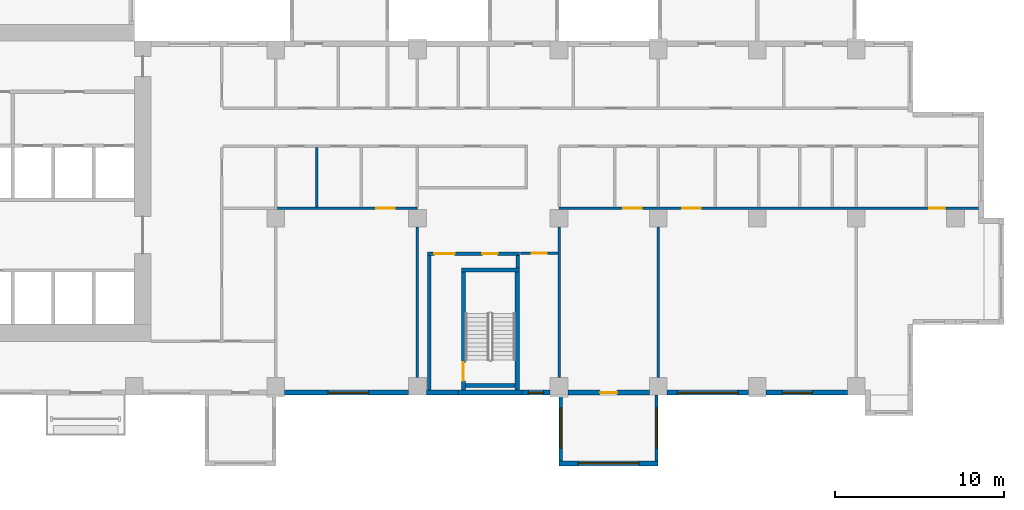
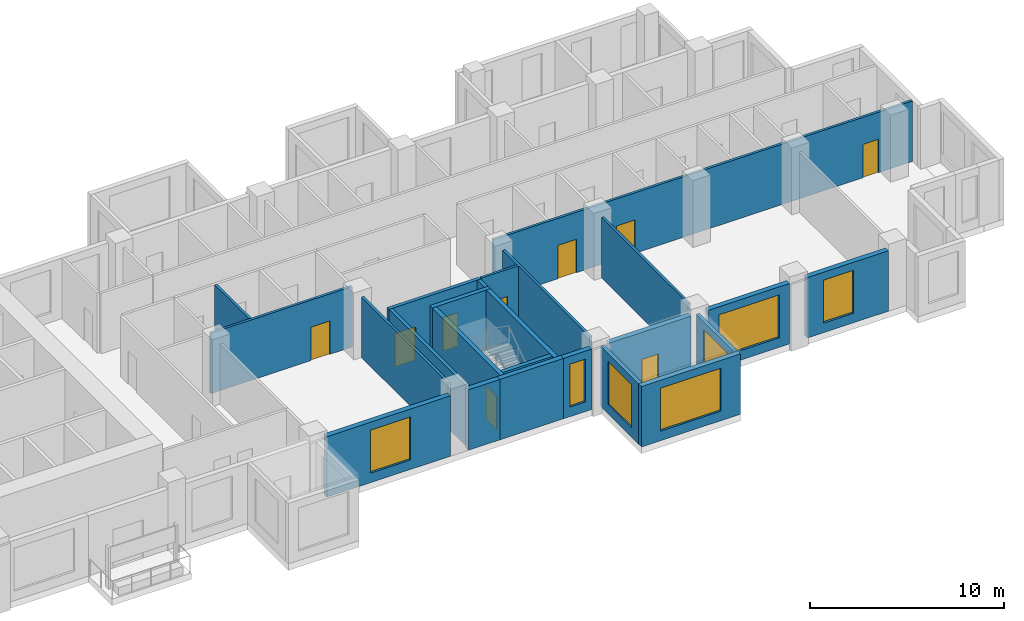
# One storey, part 4 of 15: 24 walls, 9 doors, 7 windows, 16 openings.
"""IFC4 building model written with IfcOpenShell, lengths in metres."""

from ifc_helpers import new_model, si_unit, direction, frame, frame_2d, origin, place, context, subcontext, project, spatial, rectangle, extrude, source, transform, mapped, material, layer, layer_set, type_object, element, fill, save


model = new_model("IFC4")

# Units and contexts
model_context = context("Model", 3, precision=1e-05, world=origin(), true_north=direction((0.0, 1.0)))
body_context = subcontext(model_context, "Body", "Model", "MODEL_VIEW")
ifc_project = project(units=[si_unit("LENGTHUNIT", "METRE"), si_unit("AREAUNIT", "SQUARE_METRE"), si_unit("VOLUMEUNIT", "CUBIC_METRE"), si_unit("PLANEANGLEUNIT", "RADIAN"), si_unit("MASSUNIT", "GRAM", prefix="KILO")], contexts=[model_context])

# Site, building, storey
site_placement = place(None, origin())
site = spatial("IfcSite", under=ifc_project, at=site_placement, CompositionType="ELEMENT")
building_placement = place(site_placement, origin())
building = spatial("IfcBuilding", under=site, at=building_placement, Name="Aurelian Terraces", CompositionType="ELEMENT")
storey_placement = place(building_placement, frame((0.0, 0.0, 137.1)))
storey = spatial("IfcBuildingStorey", under=building, at=storey_placement, Name="L30", CompositionType="ELEMENT", Elevation=137.1)

# Wall
ifc_material_1 = material(Name="Concrete fc' 40 MPa", Category="concrete")
ifc_layer_1 = layer(ifc_material_1, 0.3)
ifc_layer_set_1 = layer_set([ifc_layer_1], Name="STAIR BAY WALL 300")
wall_type_1 = type_object("IfcWallType", Name="STAIR BAY WALL 300", PredefinedType="SOLIDWALL", material=ifc_layer_set_1)
shared_shape_1 = source(origin(), body_context, "Body", "SweptSolid", [
    extrude(rectangle(XDim=3.8, YDim=0.3, at=frame_2d((1.9, 0.0))), origin(), (0.0, 0.0, 1.0), 3.8),
])
wall_1_placement = place(storey_placement, frame((40.2, 0.15, 0.0), z_axis=(0.0, 0.0, 1.0), x_axis=(1.0, 0.0, 0.0)))
element("IfcWall", 1, at=wall_1_placement, inside=storey, type_object=wall_type_1, Name="Stair bay wall L30 F01.7", PredefinedType="SOLIDWALL", context=body_context, shape_type="MappedRepresentation", body=[
    mapped(shared_shape_1, transform((0.0, 0.0, 0.0), scale=1.0)),
])

# Wall, opening, window
ifc_layer_2 = layer(ifc_material_1, 0.2)
ifc_layer_set_2 = layer_set([ifc_layer_2], Name="BOX BEARING WALL 200")
wall_type_2 = type_object("IfcWallType", Name="BOX BEARING WALL 200", PredefinedType="SOLIDWALL", material=ifc_layer_set_2)
shared_shape_2 = source(origin(), body_context, "Body", "SweptSolid", [
    extrude(rectangle(XDim=3.9, YDim=0.2, at=frame_2d((1.95, 0.0))), origin(), (0.0, 0.0, 1.0), 3.8),
])
wall_2_placement = place(storey_placement, frame((46.3, 0.0, 0.0), z_axis=(0.0, 0.0, 1.0), x_axis=(0.0, -1.0, 0.0)))
wall_2 = element("IfcWall", 2, at=wall_2_placement, inside=storey, type_object=wall_type_2, Name="Box return L30 J40.1", PredefinedType="SOLIDWALL", context=body_context, shape_type="MappedRepresentation", body=[
    mapped(shared_shape_2, transform((0.0, 0.0, 0.0), scale=1.0)),
])
shared_shape_3 = source(origin(), body_context, "Body", "SweptSolid", [
    extrude(rectangle(XDim=2.4, YDim=2.7, at=frame_2d((1.2, 1.35))), frame((0.0, 0.11, 0.0), z_axis=(0.0, -1.0, 0.0), x_axis=(1.0, 0.0, 0.0)), (0.0, 0.0, 1.0), 0.22),
])
opening_1_placement = place(wall_2_placement, frame((0.75, 0.0, 0.6)))
opening_1 = element("IfcOpeningElement", 3, at=opening_1_placement, cuts=wall_2, Name="Opening W2427", PredefinedType="OPENING", context=body_context, shape_type="MappedRepresentation", body=[
    mapped(shared_shape_3, transform((0.0, 0.0, 0.0), scale=1.0)),
])
ifc_material_2 = material(Name="Clear glazing", Category="glass")
window_type_1 = type_object("IfcWindowType", Name="W-2400x2700", PartitioningType="SINGLE_PANEL", PredefinedType="WINDOW", material=ifc_material_2)
shared_shape_4 = source(origin(), body_context, "Body", "SweptSolid", [
    extrude(rectangle(XDim=2.4, YDim=2.7, at=frame_2d((1.2, 1.35))), frame((0.0, 0.03, 0.0), z_axis=(0.0, -1.0, 0.0), x_axis=(1.0, 0.0, 0.0)), (0.0, 0.0, 1.0), 0.06),
])
window_1_placement = place(opening_1_placement, origin())
window_1 = element("IfcWindow", 4, at=window_1_placement, inside=storey, type_object=window_type_1, Name="Window L30 J40-S1", OverallHeight=2.7, OverallWidth=2.4, PartitioningType="SINGLE_PANEL", PredefinedType="WINDOW", context=body_context, shape_type="MappedRepresentation", body=[
    mapped(shared_shape_4, transform((0.0, 0.0, 0.0), scale=1.0)),
])
fill(opening_1, window_1)

wall_3_placement = place(storey_placement, frame((51.98, 0.0, 0.0), z_axis=(0.0, 0.0, 1.0), x_axis=(0.0, -1.0, 0.0)))
wall_3 = element("IfcWall", 5, at=wall_3_placement, inside=storey, type_object=wall_type_2, Name="Box return L30 J40.2", PredefinedType="SOLIDWALL", context=body_context, shape_type="MappedRepresentation", body=[
    mapped(shared_shape_2, transform((0.0, 0.0, 0.0), scale=1.0)),
])
opening_2_placement = place(wall_3_placement, frame((0.75, 0.0, 0.6)))
opening_2 = element("IfcOpeningElement", 6, at=opening_2_placement, cuts=wall_3, Name="Opening W2427", PredefinedType="OPENING", context=body_context, shape_type="MappedRepresentation", body=[
    mapped(shared_shape_3, transform((0.0, 0.0, 0.0), scale=1.0)),
])
window_2_placement = place(opening_2_placement, origin())
window_2 = element("IfcWindow", 7, at=window_2_placement, inside=storey, type_object=window_type_1, Name="Window L30 J40-S2", OverallHeight=2.7, OverallWidth=2.4, PartitioningType="SINGLE_PANEL", PredefinedType="WINDOW", context=body_context, shape_type="MappedRepresentation", body=[
    mapped(shared_shape_4, transform((0.0, 0.0, 0.0), scale=1.0)),
])
fill(opening_2, window_2)

ifc_layer_3 = layer(ifc_material_1, 0.3)
ifc_layer_set_3 = layer_set([ifc_layer_3], Name="BOX BEARING WALL 300")
wall_type_3 = type_object("IfcWallType", Name="BOX BEARING WALL 300", PredefinedType="SOLIDWALL", material=ifc_layer_set_3)
shared_shape_5 = source(origin(), body_context, "Body", "SweptSolid", [
    extrude(rectangle(XDim=5.88, YDim=0.3, at=frame_2d((2.94, 0.0))), origin(), (0.0, 0.0, 1.0), 3.8),
])
wall_4_placement = place(storey_placement, frame((46.2, -4.05, 0.0), z_axis=(0.0, 0.0, 1.0), x_axis=(1.0, 0.0, 0.0)))
wall_4 = element("IfcWall", 8, at=wall_4_placement, inside=storey, type_object=wall_type_3, Name="Box wall L30 J40", PredefinedType="SOLIDWALL", context=body_context, shape_type="MappedRepresentation", body=[
    mapped(shared_shape_5, transform((0.0, 0.0, 0.0), scale=1.0)),
])
shared_shape_6 = source(origin(), body_context, "Body", "SweptSolid", [
    extrude(rectangle(XDim=3.6, YDim=2.7, at=frame_2d((1.8, 1.35))), frame((0.0, 0.16, 0.0), z_axis=(0.0, -1.0, 0.0), x_axis=(1.0, 0.0, 0.0)), (0.0, 0.0, 1.0), 0.32),
])
opening_3_placement = place(wall_4_placement, frame((1.14, 0.0, 0.6)))
opening_3 = element("IfcOpeningElement", 9, at=opening_3_placement, cuts=wall_4, Name="Opening W3627", PredefinedType="OPENING", context=body_context, shape_type="MappedRepresentation", body=[
    mapped(shared_shape_6, transform((0.0, 0.0, 0.0), scale=1.0)),
])
window_type_2 = type_object("IfcWindowType", Name="W-3600x2700", PartitioningType="SINGLE_PANEL", PredefinedType="WINDOW", material=ifc_material_2)
shared_shape_7 = source(origin(), body_context, "Body", "SweptSolid", [
    extrude(rectangle(XDim=3.6, YDim=2.7, at=frame_2d((1.8, 1.35))), frame((0.0, 0.03, 0.0), z_axis=(0.0, -1.0, 0.0), x_axis=(1.0, 0.0, 0.0)), (0.0, 0.0, 1.0), 0.06),
])
window_3_placement = place(opening_3_placement, origin())
window_3 = element("IfcWindow", 10, at=window_3_placement, inside=storey, type_object=window_type_2, Name="Window L30 J40-F1", OverallHeight=2.7, OverallWidth=3.6, PartitioningType="SINGLE_PANEL", PredefinedType="WINDOW", context=body_context, shape_type="MappedRepresentation", body=[
    mapped(shared_shape_7, transform((0.0, 0.0, 0.0), scale=1.0)),
])
fill(opening_3, window_3)

ifc_material_3 = material(Name="Terracotta rainscreen cladding", Category="masonry")
ifc_layer_4 = layer(ifc_material_3, 0.3)
ifc_layer_set_4 = layer_set([ifc_layer_4], Name="EW-300")
wall_type_4 = type_object("IfcWallType", Name="EW-300", PredefinedType="STANDARD", material=ifc_layer_set_4)
shared_shape_8 = source(origin(), body_context, "Body", "SweptSolid", [
    extrude(rectangle(XDim=7.35, YDim=0.3, at=frame_2d((3.675, 0.0))), origin(), (0.0, 0.0, 1.0), 3.8),
])
wall_5_placement = place(storey_placement, frame((29.925, 0.15, 0.0), z_axis=(0.0, 0.0, 1.0), x_axis=(1.0, 0.0, 0.0)))
wall_5 = element("IfcWall", 11, at=wall_5_placement, inside=storey, type_object=wall_type_4, Name="External wall L30 F01.6", PredefinedType="STANDARD", context=body_context, shape_type="MappedRepresentation", body=[
    mapped(shared_shape_8, transform((0.0, 0.0, 0.0), scale=1.0)),
])
shared_shape_9 = source(origin(), body_context, "Body", "SweptSolid", [
    extrude(rectangle(XDim=2.4, YDim=2.7, at=frame_2d((1.2, 1.35))), frame((0.0, 0.16, 0.0), z_axis=(0.0, -1.0, 0.0), x_axis=(1.0, 0.0, 0.0)), (0.0, 0.0, 1.0), 0.32),
])
opening_4_placement = place(wall_5_placement, frame((2.575, 0.0, 0.6)))
opening_4 = element("IfcOpeningElement", 12, at=opening_4_placement, cuts=wall_5, Name="Opening W2427", PredefinedType="OPENING", context=body_context, shape_type="MappedRepresentation", body=[
    mapped(shared_shape_9, transform((0.0, 0.0, 0.0), scale=1.0)),
])
window_4_placement = place(opening_4_placement, origin())
window_4 = element("IfcWindow", 13, at=window_4_placement, inside=storey, type_object=window_type_1, Name="Window L30 L30-F01-06-P0", OverallHeight=2.7, OverallWidth=2.4, PartitioningType="SINGLE_PANEL", PredefinedType="WINDOW", context=body_context, shape_type="MappedRepresentation", body=[
    mapped(shared_shape_4, transform((0.0, 0.0, 0.0), scale=1.0)),
])
fill(opening_4, window_4)

# Wall, opening, door
shared_shape_10 = source(origin(), body_context, "Body", "SweptSolid", [
    extrude(rectangle(XDim=4.83, YDim=0.3, at=frame_2d((2.415, 0.0))), origin(), (0.0, 0.0, 1.0), 3.8),
])
wall_6_placement = place(storey_placement, frame((46.725, 0.15, 0.0), z_axis=(0.0, 0.0, 1.0), x_axis=(1.0, 0.0, 0.0)))
wall_6 = element("IfcWall", 14, at=wall_6_placement, inside=storey, type_object=wall_type_4, Name="External wall L30 F01.8", PredefinedType="STANDARD", context=body_context, shape_type="MappedRepresentation", body=[
    mapped(shared_shape_10, transform((0.0, 0.0, 0.0), scale=1.0)),
])
shared_shape_11 = source(origin(), body_context, "Body", "SweptSolid", [
    extrude(rectangle(XDim=1.0, YDim=2.1, at=frame_2d((0.5, 1.05))), frame((0.0, 0.16, 0.0), z_axis=(0.0, -1.0, 0.0), x_axis=(1.0, 0.0, 0.0)), (0.0, 0.0, 1.0), 0.32),
])
opening_5_placement = place(wall_6_placement, frame((1.915, 0.0, 0.0)))
opening_5 = element("IfcOpeningElement", 15, at=opening_5_placement, cuts=wall_6, Name="Opening 830002", PredefinedType="OPENING", context=body_context, shape_type="MappedRepresentation", body=[
    mapped(shared_shape_11, transform((0.0, 0.0, 0.0), scale=1.0)),
])
ifc_material_4 = material(Name="Timber door leaf", Category="wood")
door_type_1 = type_object("IfcDoorType", Name="Room door 1000x2100 left", OperationType="SINGLE_SWING_LEFT", PredefinedType="DOOR", material=ifc_material_4)
shared_shape_12 = source(origin(), body_context, "Body", "SweptSolid", [
    extrude(rectangle(XDim=1.0, YDim=2.1, at=frame_2d((0.5, 1.05))), frame((0.0, 0.025, 0.0), z_axis=(0.0, -1.0, 0.0), x_axis=(1.0, 0.0, 0.0)), (0.0, 0.0, 1.0), 0.05),
])
door_1_placement = place(opening_5_placement, origin())
door_1 = element("IfcDoor", 16, at=door_1_placement, inside=storey, type_object=door_type_1, Name="Door 830002", OperationType="SINGLE_SWING_LEFT", OverallHeight=2.1, OverallWidth=1.0, PredefinedType="DOOR", context=body_context, shape_type="MappedRepresentation", body=[
    mapped(shared_shape_12, transform((0.0, 0.0, 0.0), scale=1.0)),
])
fill(opening_5, door_1)

# Wall, opening, window
wall_7_placement = place(storey_placement, frame((52.605, 0.15, 0.0), z_axis=(0.0, 0.0, 1.0), x_axis=(1.0, 0.0, 0.0)))
wall_7 = element("IfcWall", 17, at=wall_7_placement, inside=storey, type_object=wall_type_4, Name="External wall L30 F01.9", PredefinedType="STANDARD", context=body_context, shape_type="MappedRepresentation", body=[
    mapped(shared_shape_10, transform((0.0, 0.0, 0.0), scale=1.0)),
])
opening_6_placement = place(wall_7_placement, frame((0.615, 0.0, 0.6)))
opening_6 = element("IfcOpeningElement", 18, at=opening_6_placement, cuts=wall_7, Name="Opening W3627", PredefinedType="OPENING", context=body_context, shape_type="MappedRepresentation", body=[
    mapped(shared_shape_6, transform((0.0, 0.0, 0.0), scale=1.0)),
])
window_5_placement = place(opening_6_placement, origin())
window_5 = element("IfcWindow", 19, at=window_5_placement, inside=storey, type_object=window_type_2, Name="Window L30 L30-F01-09-0", OverallHeight=2.7, OverallWidth=3.6, PartitioningType="SINGLE_PANEL", PredefinedType="WINDOW", context=body_context, shape_type="MappedRepresentation", body=[
    mapped(shared_shape_7, transform((0.0, 0.0, 0.0), scale=1.0)),
])
fill(opening_6, window_5)

wall_8_placement = place(storey_placement, frame((58.485, 0.15, 0.0), z_axis=(0.0, 0.0, 1.0), x_axis=(1.0, 0.0, 0.0)))
wall_8 = element("IfcWall", 20, at=wall_8_placement, inside=storey, type_object=wall_type_4, Name="External wall L30 F01.10", PredefinedType="STANDARD", context=body_context, shape_type="MappedRepresentation", body=[
    mapped(shared_shape_10, transform((0.0, 0.0, 0.0), scale=1.0)),
])
shared_shape_13 = source(origin(), body_context, "Body", "SweptSolid", [
    extrude(rectangle(XDim=1.8, YDim=2.7, at=frame_2d((0.9, 1.35))), frame((0.0, 0.16, 0.0), z_axis=(0.0, -1.0, 0.0), x_axis=(1.0, 0.0, 0.0)), (0.0, 0.0, 1.0), 0.32),
])
opening_7_placement = place(wall_8_placement, frame((0.9525, 0.0, 0.6)))
opening_7 = element("IfcOpeningElement", 21, at=opening_7_placement, cuts=wall_8, Name="Opening W1827", PredefinedType="OPENING", context=body_context, shape_type="MappedRepresentation", body=[
    mapped(shared_shape_13, transform((0.0, 0.0, 0.0), scale=1.0)),
])
window_type_3 = type_object("IfcWindowType", Name="W-1800x2700", PartitioningType="SINGLE_PANEL", PredefinedType="WINDOW", material=ifc_material_2)
shared_shape_14 = source(origin(), body_context, "Body", "SweptSolid", [
    extrude(rectangle(XDim=1.8, YDim=2.7, at=frame_2d((0.9, 1.35))), frame((0.0, 0.03, 0.0), z_axis=(0.0, -1.0, 0.0), x_axis=(1.0, 0.0, 0.0)), (0.0, 0.0, 1.0), 0.06),
])
window_6_placement = place(opening_7_placement, origin())
window_6 = element("IfcWindow", 22, at=window_6_placement, inside=storey, type_object=window_type_3, Name="Window L30 L30-F01-10-0", OverallHeight=2.7, OverallWidth=1.8, PartitioningType="SINGLE_PANEL", PredefinedType="WINDOW", context=body_context, shape_type="MappedRepresentation", body=[
    mapped(shared_shape_14, transform((0.0, 0.0, 0.0), scale=1.0)),
])
fill(opening_7, window_6)

shared_shape_15 = source(origin(), body_context, "Body", "SweptSolid", [
    extrude(rectangle(XDim=1.675, YDim=0.3, at=frame_2d((0.8375, 0.0))), origin(), (0.0, 0.0, 1.0), 3.8),
])
wall_9_placement = place(storey_placement, frame((44.0, 0.15, 0.0), z_axis=(0.0, 0.0, 1.0), x_axis=(1.0, 0.0, 0.0)))
wall_9 = element("IfcWall", 23, at=wall_9_placement, inside=storey, type_object=wall_type_4, Name="External wall L30 F01.7", PredefinedType="STANDARD", context=body_context, shape_type="MappedRepresentation", body=[
    mapped(shared_shape_15, transform((0.0, 0.0, 0.0), scale=1.0)),
])
shared_shape_16 = source(origin(), body_context, "Body", "SweptSolid", [
    extrude(rectangle(XDim=0.9, YDim=2.7, at=frame_2d((0.45, 1.35))), frame((0.0, 0.16, 0.0), z_axis=(0.0, -1.0, 0.0), x_axis=(1.0, 0.0, 0.0)), (0.0, 0.0, 1.0), 0.32),
])
opening_8_placement = place(wall_9_placement, frame((0.3875, 0.0, 0.6)))
opening_8 = element("IfcOpeningElement", 24, at=opening_8_placement, cuts=wall_9, Name="Opening W0927", PredefinedType="OPENING", context=body_context, shape_type="MappedRepresentation", body=[
    mapped(shared_shape_16, transform((0.0, 0.0, 0.0), scale=1.0)),
])
window_type_4 = type_object("IfcWindowType", Name="W-900x2700", PartitioningType="SINGLE_PANEL", PredefinedType="WINDOW", material=ifc_material_2)
shared_shape_17 = source(origin(), body_context, "Body", "SweptSolid", [
    extrude(rectangle(XDim=0.9, YDim=2.7, at=frame_2d((0.45, 1.35))), frame((0.0, 0.03, 0.0), z_axis=(0.0, -1.0, 0.0), x_axis=(1.0, 0.0, 0.0)), (0.0, 0.0, 1.0), 0.06),
])
window_7_placement = place(opening_8_placement, origin())
window_7 = element("IfcWindow", 25, at=window_7_placement, inside=storey, type_object=window_type_4, Name="Window L30 L30-F01-07-P2", OverallHeight=2.7, OverallWidth=0.9, PartitioningType="SINGLE_PANEL", PredefinedType="WINDOW", context=body_context, shape_type="MappedRepresentation", body=[
    mapped(shared_shape_17, transform((0.0, 0.0, 0.0), scale=1.0)),
])
fill(opening_8, window_7)

# Wall
shared_shape_18 = source(origin(), body_context, "Body", "SweptSolid", [
    extrude(rectangle(XDim=1.875, YDim=0.3, at=frame_2d((0.9375, 0.0))), origin(), (0.0, 0.0, 1.0), 3.8),
])
wall_10_placement = place(storey_placement, frame((38.325, 0.15, 0.0), z_axis=(0.0, 0.0, 1.0), x_axis=(1.0, 0.0, 0.0)))
element("IfcWall", 26, at=wall_10_placement, inside=storey, type_object=wall_type_4, Name="External wall L30 F01.7", PredefinedType="STANDARD", context=body_context, shape_type="MappedRepresentation", body=[
    mapped(shared_shape_18, transform((0.0, 0.0, 0.0), scale=1.0)),
])

# Wall, opening, door
ifc_layer_5 = layer(ifc_material_1, 0.25)
ifc_layer_set_5 = layer_set([ifc_layer_5], Name="Stair enclosure wall 250")
wall_type_5 = type_object("IfcWallType", Name="Stair enclosure wall 250", PredefinedType="SOLIDWALL", material=ifc_layer_set_5)
shared_shape_19 = source(origin(), body_context, "Body", "SweptSolid", [
    extrude(rectangle(XDim=7.0, YDim=0.25, at=frame_2d((3.5, 0.0))), origin(), (0.0, 0.0, 1.0), 3.8),
])
wall_11_placement = place(storey_placement, frame((40.525, 0.3, 0.0), z_axis=(0.0, 0.0, 1.0), x_axis=(0.0, 1.0, 0.0)))
wall_11 = element("IfcWall", 27, at=wall_11_placement, inside=storey, type_object=wall_type_5, Name="L30 core wall ST-S2-W", PredefinedType="SOLIDWALL", context=body_context, shape_type="MappedRepresentation", body=[
    mapped(shared_shape_19, transform((0.0, 0.0, 0.0), scale=1.0)),
])
shared_shape_20 = source(origin(), body_context, "Body", "SweptSolid", [
    extrude(rectangle(XDim=1.1, YDim=2.1, at=frame_2d((0.55, 1.05))), frame((0.0, 0.135, 0.0), z_axis=(0.0, -1.0, 0.0), x_axis=(1.0, 0.0, 0.0)), (0.0, 0.0, 1.0), 0.27),
])
opening_9_placement = place(wall_11_placement, frame((0.55, 0.0, 0.0)))
opening_9 = element("IfcOpeningElement", 28, at=opening_9_placement, cuts=wall_11, Name="Opening 63315", PredefinedType="OPENING", context=body_context, shape_type="MappedRepresentation", body=[
    mapped(shared_shape_20, transform((0.0, 0.0, 0.0), scale=1.0)),
])
ifc_material_5 = material(Name="Steel door leaf", Category="steel")
door_type_2 = type_object("IfcDoorType", Name="Core fire door 1100x2100", OperationType="SINGLE_SWING_LEFT", PredefinedType="DOOR", material=ifc_material_5)
shared_shape_21 = source(origin(), body_context, "Body", "SweptSolid", [
    extrude(rectangle(XDim=1.1, YDim=2.1, at=frame_2d((0.55, 1.05))), frame((0.0, 0.025, 0.0), z_axis=(0.0, -1.0, 0.0), x_axis=(1.0, 0.0, 0.0)), (0.0, 0.0, 1.0), 0.05),
])
door_2_placement = place(opening_9_placement, origin())
door_2 = element("IfcDoor", 29, at=door_2_placement, inside=storey, type_object=door_type_2, Name="Stair door 63315", OperationType="SINGLE_SWING_LEFT", OverallHeight=2.1, OverallWidth=1.1, PredefinedType="DOOR", context=body_context, shape_type="MappedRepresentation", body=[
    mapped(shared_shape_21, transform((0.0, 0.0, 0.0), scale=1.0)),
])
fill(opening_9, door_2)

# Walls
wall_12_placement = place(storey_placement, frame((43.725, 0.3, 0.0), z_axis=(0.0, 0.0, 1.0), x_axis=(0.0, 1.0, 0.0)))
element("IfcWall", 30, at=wall_12_placement, inside=storey, type_object=wall_type_5, Name="L30 core wall ST-S2-E", PredefinedType="SOLIDWALL", context=body_context, shape_type="MappedRepresentation", body=[
    mapped(shared_shape_19, transform((0.0, 0.0, 0.0), scale=1.0)),
])
shared_shape_22 = source(origin(), body_context, "Body", "SweptSolid", [
    extrude(rectangle(XDim=3.45, YDim=0.25, at=frame_2d((1.725, 0.0))), origin(), (0.0, 0.0, 1.0), 3.8),
])
wall_13_placement = place(storey_placement, frame((40.4, 7.425, 0.0), z_axis=(0.0, 0.0, 1.0), x_axis=(1.0, 0.0, 0.0)))
element("IfcWall", 31, at=wall_13_placement, inside=storey, type_object=wall_type_5, Name="L30 core wall ST-S2-N", PredefinedType="SOLIDWALL", context=body_context, shape_type="MappedRepresentation", body=[
    mapped(shared_shape_22, transform((0.0, 0.0, 0.0), scale=1.0)),
])
shared_shape_23 = source(origin(), body_context, "Body", "SweptSolid", [
    extrude(rectangle(XDim=2.95, YDim=0.25, at=frame_2d((1.475, 0.0))), origin(), (0.0, 0.0, 1.0), 3.8),
])
wall_14_placement = place(storey_placement, frame((40.65, 0.575, 0.0), z_axis=(0.0, 0.0, 1.0), x_axis=(1.0, 0.0, 0.0)))
element("IfcWall", 32, at=wall_14_placement, inside=storey, type_object=wall_type_5, Name="L30 core wall ST-S2-SS", PredefinedType="SOLIDWALL", context=body_context, shape_type="MappedRepresentation", body=[
    mapped(shared_shape_23, transform((0.0, 0.0, 0.0), scale=1.0)),
])
ifc_material_6 = material(Name="Gypsum board on steel studs", Category="steel")
ifc_layer_6 = layer(ifc_material_6, 0.2)
ifc_layer_set_6 = layer_set([ifc_layer_6], Name="Core partition 200")
wall_type_6 = type_object("IfcWallType", Name="Core partition 200", PredefinedType="PARTITIONING", material=ifc_layer_set_6)
shared_shape_24 = source(origin(), body_context, "Body", "SweptSolid", [
    extrude(rectangle(XDim=8.0, YDim=0.2, at=frame_2d((4.0, 0.0))), origin(), (0.0, 0.0, 1.0), 3.8),
])
wall_15_placement = place(storey_placement, frame((38.5, 0.3, 0.0), z_axis=(0.0, 0.0, 1.0), x_axis=(0.0, 1.0, 0.0)))
element("IfcWall", 33, at=wall_15_placement, inside=storey, type_object=wall_type_6, Name="L30 core wall ST-S2-VW", PredefinedType="PARTITIONING", context=body_context, shape_type="MappedRepresentation", body=[
    mapped(shared_shape_24, transform((0.0, 0.0, 0.0), scale=1.0)),
])

# Wall, openings, doors
shared_shape_25 = source(origin(), body_context, "Body", "SweptSolid", [
    extrude(rectangle(XDim=5.45, YDim=0.2, at=frame_2d((2.725, 0.0))), origin(), (0.0, 0.0, 1.0), 3.8),
])
wall_16_placement = place(storey_placement, frame((38.4, 8.4, 0.0), z_axis=(0.0, 0.0, 1.0), x_axis=(1.0, 0.0, 0.0)))
wall_16 = element("IfcWall", 34, at=wall_16_placement, inside=storey, type_object=wall_type_6, Name="L30 core wall ST-S2-BN", PredefinedType="PARTITIONING", context=body_context, shape_type="MappedRepresentation", body=[
    mapped(shared_shape_25, transform((0.0, 0.0, 0.0), scale=1.0)),
])
shared_shape_26 = source(origin(), body_context, "Body", "SweptSolid", [
    extrude(rectangle(XDim=1.2, YDim=2.1, at=frame_2d((0.6, 1.05))), frame((0.0, 0.11, 0.0), z_axis=(0.0, -1.0, 0.0), x_axis=(1.0, 0.0, 0.0)), (0.0, 0.0, 1.0), 0.22),
])
opening_10_placement = place(wall_16_placement, frame((0.4, 0.0, 0.0)))
opening_10 = element("IfcOpeningElement", 35, at=opening_10_placement, cuts=wall_16, Name="Opening 63316", PredefinedType="OPENING", context=body_context, shape_type="MappedRepresentation", body=[
    mapped(shared_shape_26, transform((0.0, 0.0, 0.0), scale=1.0)),
])
shared_shape_27 = source(origin(), body_context, "Body", "SweptSolid", [
    extrude(rectangle(XDim=0.9, YDim=2.1, at=frame_2d((0.45, 1.05))), frame((0.0, 0.11, 0.0), z_axis=(0.0, -1.0, 0.0), x_axis=(1.0, 0.0, 0.0)), (0.0, 0.0, 1.0), 0.22),
])
opening_11_placement = place(wall_16_placement, frame((3.25, 0.0, 0.0)))
opening_11 = element("IfcOpeningElement", 36, at=opening_11_placement, cuts=wall_16, Name="Opening 63317", PredefinedType="OPENING", context=body_context, shape_type="MappedRepresentation", body=[
    mapped(shared_shape_27, transform((0.0, 0.0, 0.0), scale=1.0)),
])
door_type_3 = type_object("IfcDoorType", Name="Core riser door 900x2100", OperationType="SINGLE_SWING_LEFT", PredefinedType="DOOR", material=ifc_material_5)
shared_shape_28 = source(origin(), body_context, "Body", "SweptSolid", [
    extrude(rectangle(XDim=0.9, YDim=2.1, at=frame_2d((0.45, 1.05))), frame((0.0, 0.025, 0.0), z_axis=(0.0, -1.0, 0.0), x_axis=(1.0, 0.0, 0.0)), (0.0, 0.0, 1.0), 0.05),
])
door_3_placement = place(opening_11_placement, origin())
door_3 = element("IfcDoor", 37, at=door_3_placement, inside=storey, type_object=door_type_3, Name="Riser door 63317", OperationType="SINGLE_SWING_LEFT", OverallHeight=2.1, OverallWidth=0.9, PredefinedType="DOOR", context=body_context, shape_type="MappedRepresentation", body=[
    mapped(shared_shape_28, transform((0.0, 0.0, 0.0), scale=1.0)),
])
fill(opening_11, door_3)
door_type_4 = type_object("IfcDoorType", Name="Core fire door 1200x2100 right", OperationType="SINGLE_SWING_RIGHT", PredefinedType="DOOR", material=ifc_material_5)
shared_shape_29 = source(origin(), body_context, "Body", "SweptSolid", [
    extrude(rectangle(XDim=1.2, YDim=2.1, at=frame_2d((0.6, 1.05))), frame((0.0, 0.025, 0.0), z_axis=(0.0, -1.0, 0.0), x_axis=(1.0, 0.0, 0.0)), (0.0, 0.0, 1.0), 0.05),
])
door_4_placement = place(opening_10_placement, origin())
door_4 = element("IfcDoor", 38, at=door_4_placement, inside=storey, type_object=door_type_4, Name="Vestibule door 63316", OperationType="SINGLE_SWING_RIGHT", OverallHeight=2.1, OverallWidth=1.2, PredefinedType="DOOR", context=body_context, shape_type="MappedRepresentation", body=[
    mapped(shared_shape_29, transform((0.0, 0.0, 0.0), scale=1.0)),
])
fill(opening_10, door_4)

# Wall
shared_shape_30 = source(origin(), body_context, "Body", "SweptSolid", [
    extrude(rectangle(XDim=0.75, YDim=0.2, at=frame_2d((0.375, 0.0))), origin(), (0.0, 0.0, 1.0), 3.8),
])
wall_17_placement = place(storey_placement, frame((43.75, 7.55, 0.0), z_axis=(0.0, 0.0, 1.0), x_axis=(0.0, 1.0, 0.0)))
element("IfcWall", 39, at=wall_17_placement, inside=storey, type_object=wall_type_6, Name="L30 core wall ST-S2-RE", PredefinedType="PARTITIONING", context=body_context, shape_type="MappedRepresentation", body=[
    mapped(shared_shape_30, transform((0.0, 0.0, 0.0), scale=1.0)),
])

# Wall, opening, door
ifc_layer_7 = layer(ifc_material_6, 0.15)
ifc_layer_set_7 = layer_set([ifc_layer_7], Name="Partition 150")
wall_type_7 = type_object("IfcWallType", Name="Partition 150", PredefinedType="PARTITIONING", material=ifc_layer_set_7)
shared_shape_31 = source(origin(), body_context, "Body", "SweptSolid", [
    extrude(rectangle(XDim=8.4, YDim=0.15, at=frame_2d((4.2, 0.0))), origin(), (0.0, 0.0, 1.0), 3.8),
])
wall_18_placement = place(storey_placement, frame((37.8, 11.1, 0.0), z_axis=(0.0, 0.0, 1.0), x_axis=(-1.0, 0.0, 0.0)))
wall_18 = element("IfcWall", 40, at=wall_18_placement, inside=storey, type_object=wall_type_7, Name="Partition", PredefinedType="PARTITIONING", context=body_context, shape_type="MappedRepresentation", body=[
    mapped(shared_shape_31, transform((0.0, 0.0, 0.0), scale=1.0)),
])
shared_shape_32 = source(origin(), body_context, "Body", "SweptSolid", [
    extrude(rectangle(XDim=1.1, YDim=2.1, at=frame_2d((0.55, 1.05))), frame((0.0, 0.085, 0.0), z_axis=(0.0, -1.0, 0.0), x_axis=(1.0, 0.0, 0.0)), (0.0, 0.0, 1.0), 0.17),
])
opening_12_placement = place(wall_18_placement, frame((1.3453, 0.0, 0.0)))
opening_12 = element("IfcOpeningElement", 41, at=opening_12_placement, cuts=wall_18, Name="Opening 730008", PredefinedType="OPENING", context=body_context, shape_type="MappedRepresentation", body=[
    mapped(shared_shape_32, transform((0.0, 0.0, 0.0), scale=1.0)),
])
door_type_5 = type_object("IfcDoorType", Name="Room door 1100x2100 right", OperationType="SINGLE_SWING_RIGHT", PredefinedType="DOOR", material=ifc_material_4)
door_5_placement = place(opening_12_placement, origin())
door_5 = element("IfcDoor", 42, at=door_5_placement, inside=storey, type_object=door_type_5, Name="Door 730008", OperationType="SINGLE_SWING_RIGHT", OverallHeight=2.1, OverallWidth=1.1, PredefinedType="DOOR", context=body_context, shape_type="MappedRepresentation", body=[
    mapped(shared_shape_21, transform((0.0, 0.0, 0.0), scale=1.0)),
])
fill(opening_12, door_5)

# Wall, openings, doors
shared_shape_33 = source(origin(), body_context, "Body", "SweptSolid", [
    extrude(rectangle(XDim=24.9, YDim=0.15, at=frame_2d((12.45, 0.0))), origin(), (0.0, 0.0, 1.0), 3.8),
])
wall_19_placement = place(storey_placement, frame((71.1, 11.1, 0.0), z_axis=(0.0, 0.0, 1.0), x_axis=(-1.0, 0.0, 0.0)))
wall_19 = element("IfcWall", 43, at=wall_19_placement, inside=storey, type_object=wall_type_7, Name="Partition", PredefinedType="PARTITIONING", context=body_context, shape_type="MappedRepresentation", body=[
    mapped(shared_shape_33, transform((0.0, 0.0, 0.0), scale=1.0)),
])
opening_13_placement = place(wall_19_placement, frame((19.9884, 0.0, 0.0)))
opening_13 = element("IfcOpeningElement", 44, at=opening_13_placement, cuts=wall_19, Name="Opening 730012", PredefinedType="OPENING", context=body_context, shape_type="MappedRepresentation", body=[
    mapped(shared_shape_32, transform((0.0, 0.0, 0.0), scale=1.0)),
])
opening_14_placement = place(wall_19_placement, frame((16.4972, 0.0, 0.0)))
opening_14 = element("IfcOpeningElement", 45, at=opening_14_placement, cuts=wall_19, Name="Opening 730015", PredefinedType="OPENING", context=body_context, shape_type="MappedRepresentation", body=[
    mapped(shared_shape_32, transform((0.0, 0.0, 0.0), scale=1.0)),
])
shared_shape_34 = source(origin(), body_context, "Body", "SweptSolid", [
    extrude(rectangle(XDim=0.9, YDim=2.1, at=frame_2d((0.45, 1.05))), frame((0.0, 0.085, 0.0), z_axis=(0.0, -1.0, 0.0), x_axis=(1.0, 0.0, 0.0)), (0.0, 0.0, 1.0), 0.17),
])
opening_15_placement = place(wall_19_placement, frame((2.0283, 0.0, 0.0)))
opening_15 = element("IfcOpeningElement", 46, at=opening_15_placement, cuts=wall_19, Name="Opening 730021", PredefinedType="OPENING", context=body_context, shape_type="MappedRepresentation", body=[
    mapped(shared_shape_34, transform((0.0, 0.0, 0.0), scale=1.0)),
])
door_type_6 = type_object("IfcDoorType", Name="Room door 900x2100 right", OperationType="SINGLE_SWING_RIGHT", PredefinedType="DOOR", material=ifc_material_4)
door_6_placement = place(opening_15_placement, origin())
door_6 = element("IfcDoor", 47, at=door_6_placement, inside=storey, type_object=door_type_6, Name="Door 730021", OperationType="SINGLE_SWING_RIGHT", OverallHeight=2.1, OverallWidth=0.9, PredefinedType="DOOR", context=body_context, shape_type="MappedRepresentation", body=[
    mapped(shared_shape_28, transform((0.0, 0.0, 0.0), scale=1.0)),
])
fill(opening_15, door_6)
door_7_placement = place(opening_13_placement, origin())
door_7 = element("IfcDoor", 48, at=door_7_placement, inside=storey, type_object=door_type_5, Name="Door 730012", OperationType="SINGLE_SWING_RIGHT", OverallHeight=2.1, OverallWidth=1.1, PredefinedType="DOOR", context=body_context, shape_type="MappedRepresentation", body=[
    mapped(shared_shape_21, transform((0.0, 0.0, 0.0), scale=1.0)),
])
fill(opening_13, door_7)
door_8_placement = place(opening_14_placement, origin())
door_8 = element("IfcDoor", 49, at=door_8_placement, inside=storey, type_object=door_type_5, Name="Door 730015", OperationType="SINGLE_SWING_RIGHT", OverallHeight=2.1, OverallWidth=1.1, PredefinedType="DOOR", context=body_context, shape_type="MappedRepresentation", body=[
    mapped(shared_shape_21, transform((0.0, 0.0, 0.0), scale=1.0)),
])
fill(opening_14, door_8)

# Wall, opening, door
shared_shape_35 = source(origin(), body_context, "Body", "SweptSolid", [
    extrude(rectangle(XDim=2.2, YDim=0.15, at=frame_2d((1.1, 0.0))), origin(), (0.0, 0.0, 1.0), 3.8),
])
wall_20_placement = place(storey_placement, frame((46.125, 8.425, 0.0), z_axis=(0.0, 0.0, 1.0), x_axis=(-1.0, 0.0, 0.0)))
wall_20 = element("IfcWall", 50, at=wall_20_placement, inside=storey, type_object=wall_type_7, Name="Partition", PredefinedType="PARTITIONING", context=body_context, shape_type="MappedRepresentation", body=[
    mapped(shared_shape_35, transform((0.0, 0.0, 0.0), scale=1.0)),
])
opening_16_placement = place(wall_20_placement, frame((0.65, 0.0, 0.0)))
opening_16 = element("IfcOpeningElement", 51, at=opening_16_placement, cuts=wall_20, Name="Opening 730006", PredefinedType="OPENING", context=body_context, shape_type="MappedRepresentation", body=[
    mapped(shared_shape_34, transform((0.0, 0.0, 0.0), scale=1.0)),
])
door_9_placement = place(opening_16_placement, origin())
door_9 = element("IfcDoor", 52, at=door_9_placement, inside=storey, type_object=door_type_6, Name="Door 730006", OperationType="SINGLE_SWING_RIGHT", OverallHeight=2.1, OverallWidth=0.9, PredefinedType="DOOR", context=body_context, shape_type="MappedRepresentation", body=[
    mapped(shared_shape_28, transform((0.0, 0.0, 0.0), scale=1.0)),
])
fill(opening_16, door_9)

# Walls
shared_shape_36 = source(origin(), body_context, "Body", "SweptSolid", [
    extrude(rectangle(XDim=8.927, YDim=0.15, at=frame_2d((4.4635, 0.0))), origin(), (0.0, 0.0, 1.0), 3.8),
])
for number, where, z_axis, x_axis, name in (
    (53, (37.8, 1.049, 0.0), (0.0, 0.0, 1.0), (0.0, 1.0, 0.0), "Partition"),
    (54, (46.2, 1.049, 0.0), (0.0, 0.0, 1.0), (0.0, 1.0, 0.0), "Partition"),
    (55, (52.08, 1.049, 0.0), (0.0, 0.0, 1.0), (0.0, 1.0, 0.0), "Partition"),
):
    element("IfcWall", number, at=place(storey_placement, frame(where, z_axis=z_axis, x_axis=x_axis)), inside=storey, type_object=wall_type_7, Name=name, PredefinedType="PARTITIONING", context=body_context, shape_type="MappedRepresentation", body=[
        mapped(shared_shape_36, transform((0.0, 0.0, 0.0), scale=1.0)),
    ])
shared_shape_37 = source(origin(), body_context, "Body", "SweptSolid", [
    extrude(rectangle(XDim=3.525, YDim=0.15, at=frame_2d((1.7625, 0.0))), origin(), (0.0, 0.0, 1.0), 3.8),
])
wall_21_placement = place(storey_placement, frame((31.8123, 11.175, 0.0), z_axis=(0.0, 0.0, 1.0), x_axis=(0.0, 1.0, 0.0)))
element("IfcWall", 56, at=wall_21_placement, inside=storey, type_object=wall_type_7, Name="Partition", PredefinedType="PARTITIONING", context=body_context, shape_type="MappedRepresentation", body=[
    mapped(shared_shape_37, transform((0.0, 0.0, 0.0), scale=1.0)),
])

save(model, "model.ifc")
